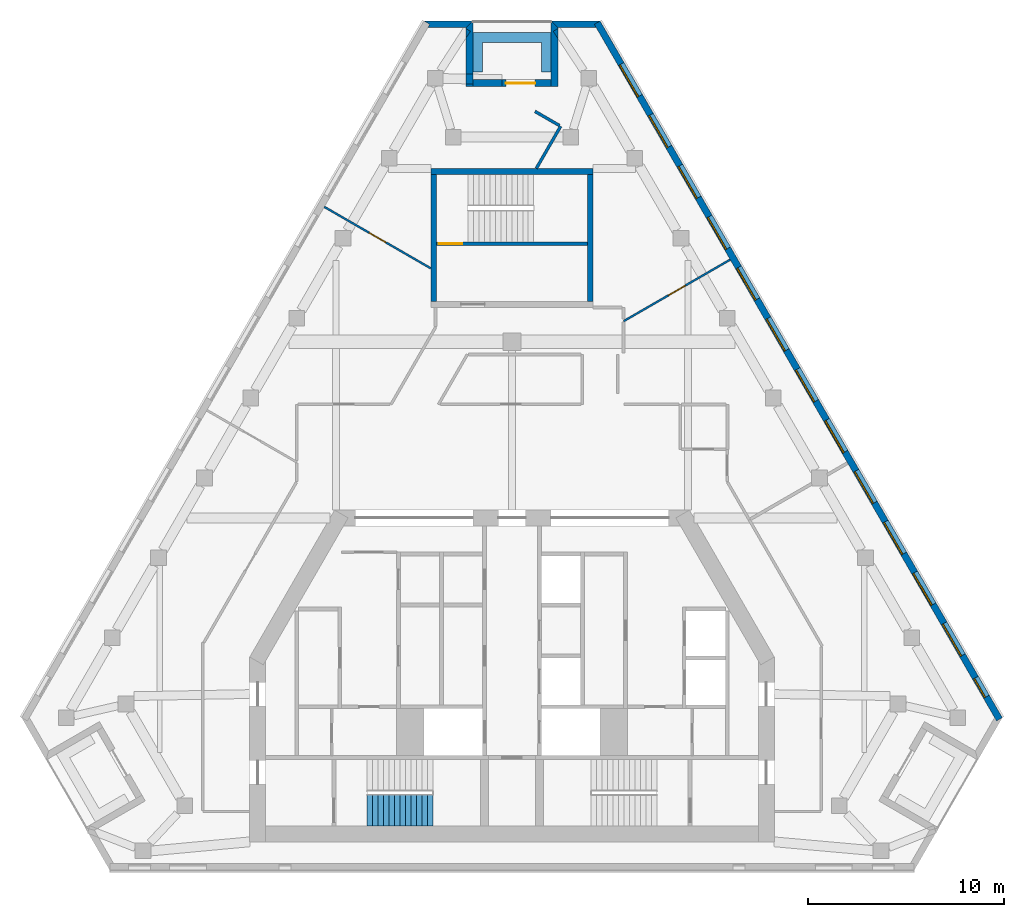
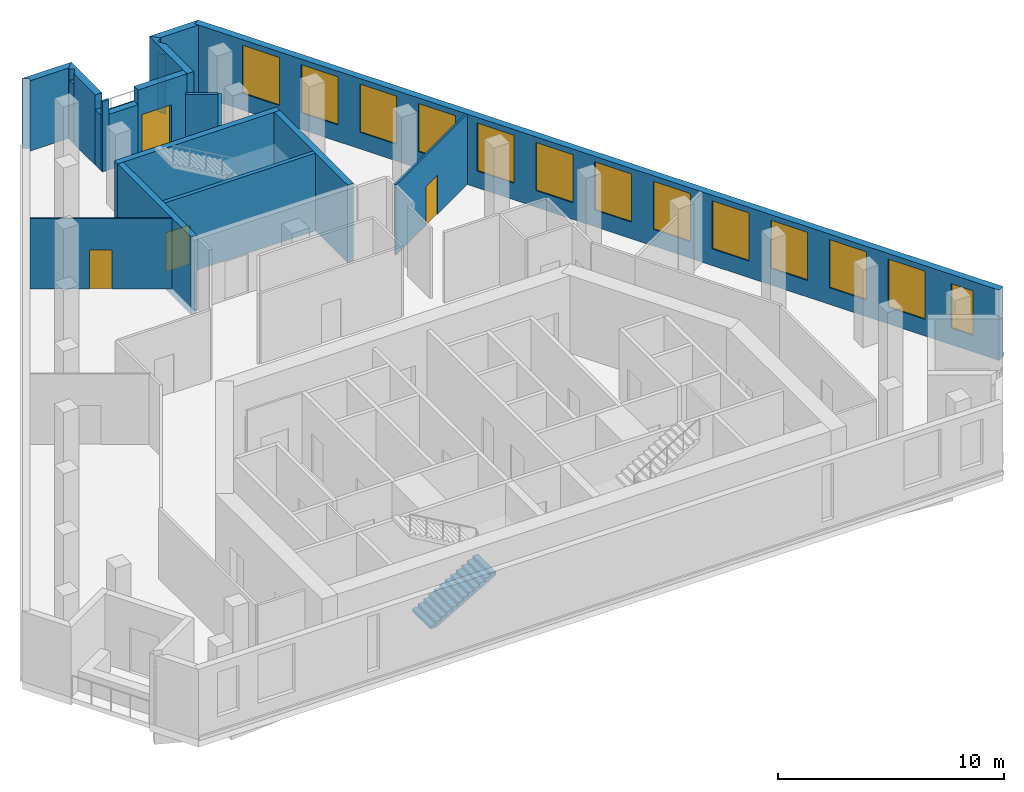
# One storey, part 6 of 8: 20 walls, 13 windows, 4 doors, 1 stair flight, 17 openings, 1 element without a shape of its own.
"""IFC4 building model written with IfcOpenShell, lengths in metres."""

from ifc_helpers import new_model, si_unit, direction, frame, frame_2d, origin, place, context, subcontext, project, spatial, polyline, rectangle, outline, extrude, material, layer, layer_set, type_object, element, fill, aggregate, save


model = new_model("IFC4")

# Units and contexts
model_context = context("Model", 3, precision=1e-05, world=origin(), true_north=direction((0.0, 1.0)))
body_context = subcontext(model_context, "Body", "Model", "MODEL_VIEW")
ifc_project = project(units=[si_unit("LENGTHUNIT", "METRE"), si_unit("AREAUNIT", "SQUARE_METRE"), si_unit("VOLUMEUNIT", "CUBIC_METRE"), si_unit("PLANEANGLEUNIT", "RADIAN"), si_unit("MASSUNIT", "GRAM", prefix="KILO")], contexts=[model_context])

# Site, building, storey
site_placement = place(None, origin())
site = spatial("IfcSite", under=ifc_project, at=site_placement, CompositionType="ELEMENT")
building_placement = place(site_placement, origin())
building = spatial("IfcBuilding", under=site, at=building_placement, Name="Fogline Exchange Tower", CompositionType="ELEMENT")
storey_placement = place(building_placement, frame((0.0, 0.0, 291.89990234375)))
storey = spatial("IfcBuildingStorey", under=building, at=storey_placement, Name="L66", CompositionType="ELEMENT", Elevation=291.89990234375)

# Wall, opening, door
ifc_material_1 = material(Name="Concrete C40", Category="concrete")
ifc_layer_1 = layer(ifc_material_1, 0.199951171875)
ifc_layer_set_1 = layer_set([ifc_layer_1], Name="CW20R")
wall_type_1 = type_object("IfcWallType", Name="CW20R", PredefinedType="SOLIDWALL", material=ifc_layer_set_1)
wall_1_placement = place(storey_placement, frame((-3.85009765625, 32.007080078125, -0.39990234375), z_axis=(0.0, 0.0, 1.0), x_axis=(1.0, 0.0, 0.0)))
wall_1 = element("IfcWall", 1, at=wall_1_placement, inside=storey, type_object=wall_type_1, Name="Stair enclosure wall ST3", PredefinedType="SOLIDWALL", context=body_context, shape_type="SweptSolid", body=[
    extrude(rectangle(XDim=7.7001953125, YDim=0.199951171875, at=frame_2d((3.85009765625, 0.0))), origin(), (0.0, 0.0, 1.0), 4.199951171875),
])
opening_1_placement = place(wall_1_placement, frame((0.10009765625, 0.0, 0.39990234375)))
opening_1 = element("IfcOpeningElement", 2, at=opening_1_placement, cuts=wall_1, Name="Opening T21-C024", PredefinedType="OPENING", context=body_context, shape_type="SweptSolid", body=[
    extrude(rectangle(XDim=1.199951171875, YDim=2.10009765625, at=frame_2d((0.60009765625, 1.050048828125))), frame((0.0, 0.10986328125, 0.0), z_axis=(0.0, -1.0, 0.0), x_axis=(1.0, 0.0, 0.0)), (0.0, 0.0, 1.0), 0.219970703125),
])
ifc_material_2 = material(Name="Steel and timber fire door", Category="steel")
door_type_1 = type_object("IfcDoorType", Name="D-ST1", OperationType="SINGLE_SWING_LEFT", PredefinedType="DOOR", material=ifc_material_2)
door_1_placement = place(opening_1_placement, origin())
door_1 = element("IfcDoor", 3, at=door_1_placement, inside=storey, type_object=door_type_1, Name="Stair door ST3", OperationType="SINGLE_SWING_LEFT", OverallHeight=2.10009765625, OverallWidth=1.199951171875, PredefinedType="DOOR", context=body_context, shape_type="SweptSolid", body=[
    extrude(rectangle(XDim=1.199951171875, YDim=2.10009765625, at=frame_2d((0.60009765625, 1.050048828125))), frame((0.0, 0.02490234375, 0.0), z_axis=(0.0, -1.0, 0.0), x_axis=(1.0, 0.0, 0.0)), (0.0, 0.0, 1.0), 0.050048828125),
])
fill(opening_1, door_1)

# Walls
ifc_layer_2 = layer(ifc_material_1, 0.300048828125)
ifc_layer_set_2 = layer_set([ifc_layer_2], Name="CW30")
wall_type_2 = type_object("IfcWallType", Name="CW30", PredefinedType="SOLIDWALL", material=ifc_layer_set_2)
wall_2_placement = place(storey_placement, frame((-4.14990234375, 35.70703125, -0.39990234375), z_axis=(0.0, 0.0, 1.0), x_axis=(1.0, 0.0, 0.0)))
element("IfcWall", 4, at=wall_2_placement, inside=storey, type_object=wall_type_2, Name="Stair enclosure wall ST3", PredefinedType="SOLIDWALL", context=body_context, shape_type="SweptSolid", body=[
    extrude(rectangle(XDim=8.2998046875, YDim=0.300048828125, at=frame_2d((4.14990234375, 0.0))), origin(), (0.0, 0.0, 1.0), 4.199951171875),
])
for number, where, z_axis, x_axis, name in (
    (5, (-4.0, 29.056884765625, -0.39990234375), (0.0, 0.0, 1.0), (0.0, 1.0, 0.0), "Stair enclosure wall ST3"),
    (6, (4.0, 29.056884765625, -0.39990234375), (0.0, 0.0, 1.0), (0.0, 1.0, 0.0), "Stair enclosure wall ST3"),
):
    element("IfcWall", number, at=place(storey_placement, frame(where, z_axis=z_axis, x_axis=x_axis)), inside=storey, type_object=wall_type_2, Name=name, PredefinedType="SOLIDWALL", context=body_context, shape_type="SweptSolid", body=[
        extrude(rectangle(XDim=6.5, YDim=0.300048828125, at=frame_2d((3.25, 0.0))), origin(), (0.0, 0.0, 1.0), 4.199951171875),
    ])

# Wall, openings, windows
ifc_material_3 = material(Name="Brick masonry", Category="masonry")
ifc_layer_3 = layer(ifc_material_3, 0.340087890625)
ifc_layer_set_3 = layer_set([ifc_layer_3], Name="FW1")
wall_type_3 = type_object("IfcWallType", Name="FW1", PredefinedType="SOLIDWALL", material=ifc_layer_set_3)
wall_3_placement = place(storey_placement, frame((24.905029296875, 7.709228515625, 0.0), z_axis=(0.0, 0.0, 1.0), x_axis=(-0.50000128873, 0.866024659735, 0.0)))
wall_3 = element("IfcWall", 7, at=wall_3_placement, inside=storey, type_object=wall_type_3, Name="Brick wall L66 E", PredefinedType="SOLIDWALL", context=body_context, shape_type="SweptSolid", body=[
    extrude(rectangle(XDim=41.1044921875, YDim=0.340087890625, at=frame_2d((20.55224609375, 0.0))), origin(), (0.0, 0.0, 1.0), 3.800048828125),
])
opening_2_placement = place(wall_3_placement, frame((3.776123046875, 0.0, 0.89990234375)))
opening_2 = element("IfcOpeningElement", 8, at=opening_2_placement, cuts=wall_3, Name="Opening W3", PredefinedType="OPENING", context=body_context, shape_type="SweptSolid", body=[
    extrude(rectangle(XDim=1.885009765625, YDim=2.60009765625, at=frame_2d((0.9423828125, 1.300048828125))), frame((0.0, 0.18017578125, 0.0), z_axis=(0.0, -1.0, 0.0), x_axis=(1.0, 0.0, 0.0)), (0.0, 0.0, 1.0), 0.360107421875),
])
opening_3_placement = place(wall_3_placement, frame((6.776123046875, 0.0, 0.89990234375)))
opening_3 = element("IfcOpeningElement", 9, at=opening_3_placement, cuts=wall_3, Name="Opening W3", PredefinedType="OPENING", context=body_context, shape_type="SweptSolid", body=[
    extrude(rectangle(XDim=1.885009765625, YDim=2.60009765625, at=frame_2d((0.9423828125, 1.300048828125))), frame((0.0, 0.18017578125, 0.0), z_axis=(0.0, -1.0, 0.0), x_axis=(1.0, 0.0, 0.0)), (0.0, 0.0, 1.0), 0.360107421875),
])
opening_4_placement = place(wall_3_placement, frame((9.776123046875, 0.0, 0.89990234375)))
opening_4 = element("IfcOpeningElement", 10, at=opening_4_placement, cuts=wall_3, Name="Opening W3", PredefinedType="OPENING", context=body_context, shape_type="SweptSolid", body=[
    extrude(rectangle(XDim=1.885009765625, YDim=2.60009765625, at=frame_2d((0.9423828125, 1.300048828125))), frame((0.0, 0.18017578125, 0.0), z_axis=(0.0, -1.0, 0.0), x_axis=(1.0, 0.0, 0.0)), (0.0, 0.0, 1.0), 0.360107421875),
])
opening_5_placement = place(wall_3_placement, frame((12.776123046875, 0.0, 0.89990234375)))
opening_5 = element("IfcOpeningElement", 11, at=opening_5_placement, cuts=wall_3, Name="Opening W3", PredefinedType="OPENING", context=body_context, shape_type="SweptSolid", body=[
    extrude(rectangle(XDim=1.885009765625, YDim=2.60009765625, at=frame_2d((0.9423828125, 1.300048828125))), frame((0.0, 0.18017578125, 0.0), z_axis=(0.0, -1.0, 0.0), x_axis=(1.0, 0.0, 0.0)), (0.0, 0.0, 1.0), 0.360107421875),
])
opening_6_placement = place(wall_3_placement, frame((15.776123046875, 0.0, 0.89990234375)))
opening_6 = element("IfcOpeningElement", 12, at=opening_6_placement, cuts=wall_3, Name="Opening W3", PredefinedType="OPENING", context=body_context, shape_type="SweptSolid", body=[
    extrude(rectangle(XDim=1.885009765625, YDim=2.60009765625, at=frame_2d((0.9423828125, 1.300048828125))), frame((0.0, 0.18017578125, 0.0), z_axis=(0.0, -1.0, 0.0), x_axis=(1.0, 0.0, 0.0)), (0.0, 0.0, 1.0), 0.360107421875),
])
opening_7_placement = place(wall_3_placement, frame((18.776123046875, 0.0, 0.89990234375)))
opening_7 = element("IfcOpeningElement", 13, at=opening_7_placement, cuts=wall_3, Name="Opening W3", PredefinedType="OPENING", context=body_context, shape_type="SweptSolid", body=[
    extrude(rectangle(XDim=1.885009765625, YDim=2.60009765625, at=frame_2d((0.9423828125, 1.300048828125))), frame((0.0, 0.18017578125, 0.0), z_axis=(0.0, -1.0, 0.0), x_axis=(1.0, 0.0, 0.0)), (0.0, 0.0, 1.0), 0.360107421875),
])
opening_8_placement = place(wall_3_placement, frame((21.776123046875, 0.0, 0.89990234375)))
opening_8 = element("IfcOpeningElement", 14, at=opening_8_placement, cuts=wall_3, Name="Opening W3", PredefinedType="OPENING", context=body_context, shape_type="SweptSolid", body=[
    extrude(rectangle(XDim=1.885009765625, YDim=2.60009765625, at=frame_2d((0.9423828125, 1.300048828125))), frame((0.0, 0.18017578125, 0.0), z_axis=(0.0, -1.0, 0.0), x_axis=(1.0, 0.0, 0.0)), (0.0, 0.0, 1.0), 0.360107421875),
])
opening_9_placement = place(wall_3_placement, frame((24.776123046875, 0.0, 0.89990234375)))
opening_9 = element("IfcOpeningElement", 15, at=opening_9_placement, cuts=wall_3, Name="Opening W3", PredefinedType="OPENING", context=body_context, shape_type="SweptSolid", body=[
    extrude(rectangle(XDim=1.885009765625, YDim=2.60009765625, at=frame_2d((0.9423828125, 1.300048828125))), frame((0.0, 0.18017578125, 0.0), z_axis=(0.0, -1.0, 0.0), x_axis=(1.0, 0.0, 0.0)), (0.0, 0.0, 1.0), 0.360107421875),
])
opening_10_placement = place(wall_3_placement, frame((27.776123046875, 0.0, 0.89990234375)))
opening_10 = element("IfcOpeningElement", 16, at=opening_10_placement, cuts=wall_3, Name="Opening W3", PredefinedType="OPENING", context=body_context, shape_type="SweptSolid", body=[
    extrude(rectangle(XDim=1.885009765625, YDim=2.60009765625, at=frame_2d((0.9423828125, 1.300048828125))), frame((0.0, 0.18017578125, 0.0), z_axis=(0.0, -1.0, 0.0), x_axis=(1.0, 0.0, 0.0)), (0.0, 0.0, 1.0), 0.360107421875),
])
opening_11_placement = place(wall_3_placement, frame((30.776123046875, 0.0, 0.89990234375)))
opening_11 = element("IfcOpeningElement", 17, at=opening_11_placement, cuts=wall_3, Name="Opening W3", PredefinedType="OPENING", context=body_context, shape_type="SweptSolid", body=[
    extrude(rectangle(XDim=1.885009765625, YDim=2.60009765625, at=frame_2d((0.9423828125, 1.300048828125))), frame((0.0, 0.18017578125, 0.0), z_axis=(0.0, -1.0, 0.0), x_axis=(1.0, 0.0, 0.0)), (0.0, 0.0, 1.0), 0.360107421875),
])
opening_12_placement = place(wall_3_placement, frame((33.776123046875, 0.0, 0.89990234375)))
opening_12 = element("IfcOpeningElement", 18, at=opening_12_placement, cuts=wall_3, Name="Opening W3", PredefinedType="OPENING", context=body_context, shape_type="SweptSolid", body=[
    extrude(rectangle(XDim=1.885009765625, YDim=2.60009765625, at=frame_2d((0.9423828125, 1.300048828125))), frame((0.0, 0.18017578125, 0.0), z_axis=(0.0, -1.0, 0.0), x_axis=(1.0, 0.0, 0.0)), (0.0, 0.0, 1.0), 0.360107421875),
])
opening_13_placement = place(wall_3_placement, frame((36.776123046875, 0.0, 0.89990234375)))
opening_13 = element("IfcOpeningElement", 19, at=opening_13_placement, cuts=wall_3, Name="Opening W3", PredefinedType="OPENING", context=body_context, shape_type="SweptSolid", body=[
    extrude(rectangle(XDim=1.885009765625, YDim=2.60009765625, at=frame_2d((0.9423828125, 1.300048828125))), frame((0.0, 0.18017578125, 0.0), z_axis=(0.0, -1.0, 0.0), x_axis=(1.0, 0.0, 0.0)), (0.0, 0.0, 1.0), 0.360107421875),
])
opening_14_placement = place(wall_3_placement, frame((1.33056640625, 0.0, 0.89990234375)))
opening_14 = element("IfcOpeningElement", 20, at=opening_14_placement, cuts=wall_3, Name="Opening W4", PredefinedType="OPENING", context=body_context, shape_type="SweptSolid", body=[
    extrude(rectangle(XDim=1.114990234375, YDim=2.39990234375, at=frame_2d((0.5576171875, 1.199951171875))), frame((0.0, 0.18017578125, 0.0), z_axis=(0.0, -1.0, 0.0), x_axis=(1.0, 0.0, 0.0)), (0.0, 0.0, 1.0), 0.360107421875),
])
ifc_material_4 = material(Name="Aluminium and glass", Category="aluminium")
window_type_1 = type_object("IfcWindowType", Name="W3", PartitioningType="SINGLE_PANEL", PredefinedType="WINDOW", material=ifc_material_4)
window_1_placement = place(opening_2_placement, origin())
window_1 = element("IfcWindow", 21, at=window_1_placement, inside=storey, type_object=window_type_1, Name="W3 W3", OverallHeight=2.60009765625, OverallWidth=1.885009765625, PartitioningType="SINGLE_PANEL", PredefinedType="WINDOW", context=body_context, shape_type="SweptSolid", body=[
    extrude(rectangle(XDim=1.885009765625, YDim=2.60009765625, at=frame_2d((0.9423828125, 1.300048828125))), frame((0.0, 0.110107421875, 0.0), z_axis=(0.0, -1.0, 0.0), x_axis=(1.0, 0.0, 0.0)), (0.0, 0.0, 1.0), 0.06005859375),
])
fill(opening_2, window_1)
window_2_placement = place(opening_3_placement, origin())
window_2 = element("IfcWindow", 22, at=window_2_placement, inside=storey, type_object=window_type_1, Name="W3 W3", OverallHeight=2.60009765625, OverallWidth=1.885009765625, PartitioningType="SINGLE_PANEL", PredefinedType="WINDOW", context=body_context, shape_type="SweptSolid", body=[
    extrude(rectangle(XDim=1.885009765625, YDim=2.60009765625, at=frame_2d((0.9423828125, 1.300048828125))), frame((0.0, 0.110107421875, 0.0), z_axis=(0.0, -1.0, 0.0), x_axis=(1.0, 0.0, 0.0)), (0.0, 0.0, 1.0), 0.06005859375),
])
fill(opening_3, window_2)
window_3_placement = place(opening_4_placement, origin())
window_3 = element("IfcWindow", 23, at=window_3_placement, inside=storey, type_object=window_type_1, Name="W3 W3", OverallHeight=2.60009765625, OverallWidth=1.885009765625, PartitioningType="SINGLE_PANEL", PredefinedType="WINDOW", context=body_context, shape_type="SweptSolid", body=[
    extrude(rectangle(XDim=1.885009765625, YDim=2.60009765625, at=frame_2d((0.9423828125, 1.300048828125))), frame((0.0, 0.110107421875, 0.0), z_axis=(0.0, -1.0, 0.0), x_axis=(1.0, 0.0, 0.0)), (0.0, 0.0, 1.0), 0.06005859375),
])
fill(opening_4, window_3)
window_4_placement = place(opening_5_placement, origin())
window_4 = element("IfcWindow", 24, at=window_4_placement, inside=storey, type_object=window_type_1, Name="W3 W3", OverallHeight=2.60009765625, OverallWidth=1.885009765625, PartitioningType="SINGLE_PANEL", PredefinedType="WINDOW", context=body_context, shape_type="SweptSolid", body=[
    extrude(rectangle(XDim=1.885009765625, YDim=2.60009765625, at=frame_2d((0.9423828125, 1.300048828125))), frame((0.0, 0.110107421875, 0.0), z_axis=(0.0, -1.0, 0.0), x_axis=(1.0, 0.0, 0.0)), (0.0, 0.0, 1.0), 0.06005859375),
])
fill(opening_5, window_4)
window_5_placement = place(opening_6_placement, origin())
window_5 = element("IfcWindow", 25, at=window_5_placement, inside=storey, type_object=window_type_1, Name="W3 W3", OverallHeight=2.60009765625, OverallWidth=1.885009765625, PartitioningType="SINGLE_PANEL", PredefinedType="WINDOW", context=body_context, shape_type="SweptSolid", body=[
    extrude(rectangle(XDim=1.885009765625, YDim=2.60009765625, at=frame_2d((0.9423828125, 1.300048828125))), frame((0.0, 0.110107421875, 0.0), z_axis=(0.0, -1.0, 0.0), x_axis=(1.0, 0.0, 0.0)), (0.0, 0.0, 1.0), 0.06005859375),
])
fill(opening_6, window_5)
window_6_placement = place(opening_7_placement, origin())
window_6 = element("IfcWindow", 26, at=window_6_placement, inside=storey, type_object=window_type_1, Name="W3 W3", OverallHeight=2.60009765625, OverallWidth=1.885009765625, PartitioningType="SINGLE_PANEL", PredefinedType="WINDOW", context=body_context, shape_type="SweptSolid", body=[
    extrude(rectangle(XDim=1.885009765625, YDim=2.60009765625, at=frame_2d((0.9423828125, 1.300048828125))), frame((0.0, 0.110107421875, 0.0), z_axis=(0.0, -1.0, 0.0), x_axis=(1.0, 0.0, 0.0)), (0.0, 0.0, 1.0), 0.06005859375),
])
fill(opening_7, window_6)
window_7_placement = place(opening_8_placement, origin())
window_7 = element("IfcWindow", 27, at=window_7_placement, inside=storey, type_object=window_type_1, Name="W3 W3", OverallHeight=2.60009765625, OverallWidth=1.885009765625, PartitioningType="SINGLE_PANEL", PredefinedType="WINDOW", context=body_context, shape_type="SweptSolid", body=[
    extrude(rectangle(XDim=1.885009765625, YDim=2.60009765625, at=frame_2d((0.9423828125, 1.300048828125))), frame((0.0, 0.110107421875, 0.0), z_axis=(0.0, -1.0, 0.0), x_axis=(1.0, 0.0, 0.0)), (0.0, 0.0, 1.0), 0.06005859375),
])
fill(opening_8, window_7)
window_8_placement = place(opening_9_placement, origin())
window_8 = element("IfcWindow", 28, at=window_8_placement, inside=storey, type_object=window_type_1, Name="W3 W3", OverallHeight=2.60009765625, OverallWidth=1.885009765625, PartitioningType="SINGLE_PANEL", PredefinedType="WINDOW", context=body_context, shape_type="SweptSolid", body=[
    extrude(rectangle(XDim=1.885009765625, YDim=2.60009765625, at=frame_2d((0.9423828125, 1.300048828125))), frame((0.0, 0.110107421875, 0.0), z_axis=(0.0, -1.0, 0.0), x_axis=(1.0, 0.0, 0.0)), (0.0, 0.0, 1.0), 0.06005859375),
])
fill(opening_9, window_8)
window_9_placement = place(opening_10_placement, origin())
window_9 = element("IfcWindow", 29, at=window_9_placement, inside=storey, type_object=window_type_1, Name="W3 W3", OverallHeight=2.60009765625, OverallWidth=1.885009765625, PartitioningType="SINGLE_PANEL", PredefinedType="WINDOW", context=body_context, shape_type="SweptSolid", body=[
    extrude(rectangle(XDim=1.885009765625, YDim=2.60009765625, at=frame_2d((0.9423828125, 1.300048828125))), frame((0.0, 0.110107421875, 0.0), z_axis=(0.0, -1.0, 0.0), x_axis=(1.0, 0.0, 0.0)), (0.0, 0.0, 1.0), 0.06005859375),
])
fill(opening_10, window_9)
window_10_placement = place(opening_11_placement, origin())
window_10 = element("IfcWindow", 30, at=window_10_placement, inside=storey, type_object=window_type_1, Name="W3 W3", OverallHeight=2.60009765625, OverallWidth=1.885009765625, PartitioningType="SINGLE_PANEL", PredefinedType="WINDOW", context=body_context, shape_type="SweptSolid", body=[
    extrude(rectangle(XDim=1.885009765625, YDim=2.60009765625, at=frame_2d((0.9423828125, 1.300048828125))), frame((0.0, 0.110107421875, 0.0), z_axis=(0.0, -1.0, 0.0), x_axis=(1.0, 0.0, 0.0)), (0.0, 0.0, 1.0), 0.06005859375),
])
fill(opening_11, window_10)
window_11_placement = place(opening_12_placement, origin())
window_11 = element("IfcWindow", 31, at=window_11_placement, inside=storey, type_object=window_type_1, Name="W3 W3", OverallHeight=2.60009765625, OverallWidth=1.885009765625, PartitioningType="SINGLE_PANEL", PredefinedType="WINDOW", context=body_context, shape_type="SweptSolid", body=[
    extrude(rectangle(XDim=1.885009765625, YDim=2.60009765625, at=frame_2d((0.9423828125, 1.300048828125))), frame((0.0, 0.110107421875, 0.0), z_axis=(0.0, -1.0, 0.0), x_axis=(1.0, 0.0, 0.0)), (0.0, 0.0, 1.0), 0.06005859375),
])
fill(opening_12, window_11)
window_12_placement = place(opening_13_placement, origin())
window_12 = element("IfcWindow", 32, at=window_12_placement, inside=storey, type_object=window_type_1, Name="W3 W3", OverallHeight=2.60009765625, OverallWidth=1.885009765625, PartitioningType="SINGLE_PANEL", PredefinedType="WINDOW", context=body_context, shape_type="SweptSolid", body=[
    extrude(rectangle(XDim=1.885009765625, YDim=2.60009765625, at=frame_2d((0.9423828125, 1.300048828125))), frame((0.0, 0.110107421875, 0.0), z_axis=(0.0, -1.0, 0.0), x_axis=(1.0, 0.0, 0.0)), (0.0, 0.0, 1.0), 0.06005859375),
])
fill(opening_13, window_12)
window_type_2 = type_object("IfcWindowType", Name="W4", PartitioningType="SINGLE_PANEL", PredefinedType="WINDOW", material=ifc_material_4)
window_13_placement = place(opening_14_placement, origin())
window_13 = element("IfcWindow", 33, at=window_13_placement, inside=storey, type_object=window_type_2, Name="W4 W4", OverallHeight=2.39990234375, OverallWidth=1.114990234375, PartitioningType="SINGLE_PANEL", PredefinedType="WINDOW", context=body_context, shape_type="SweptSolid", body=[
    extrude(rectangle(XDim=1.114990234375, YDim=2.39990234375, at=frame_2d((0.5576171875, 1.199951171875))), frame((0.0, 0.110107421875, 0.0), z_axis=(0.0, -1.0, 0.0), x_axis=(1.0, 0.0, 0.0)), (0.0, 0.0, 1.0), 0.06005859375),
])
fill(opening_14, window_13)

# Walls
wall_4_placement = place(storey_placement, origin())
element("IfcWall", 34, at=wall_4_placement, inside=storey, type_object=wall_type_3, Name="Brick wall L66 N-c1", PredefinedType="SOLIDWALL", context=body_context, shape_type="SweptSolid", body=[
    extrude(outline(polyline([(1.9990234375, 43.392333984375), (4.5009765625, 43.392333984375), (4.501220703125, 43.3916015625), (4.206298828125, 43.221435546875), (4.3046875, 43.051025390625), (2.33984375, 43.051025390625), (1.998779296875, 43.39208984375), (1.9990234375, 43.392333984375)])), origin(), (0.0, 0.0, 1.0), 3.800048828125),
])
wall_5_placement = place(storey_placement, origin())
element("IfcWall", 35, at=wall_5_placement, inside=storey, type_object=wall_type_3, Name="Brick wall L66 N-s1", PredefinedType="SOLIDWALL", context=body_context, shape_type="SweptSolid", body=[
    extrude(outline(polyline([(2.340576171875, 42.503173828125), (2.107177734375, 42.859130859375), (2.340576171875, 43.012451171875), (2.340576171875, 42.503173828125)])), origin(), (0.0, 0.0, 1.0), 3.2001953125),
])
wall_6_placement = place(storey_placement, origin())
element("IfcWall", 36, at=wall_6_placement, inside=storey, type_object=wall_type_3, Name="Brick wall L66 N-s1", PredefinedType="SOLIDWALL", context=body_context, shape_type="SweptSolid", body=[
    extrude(outline(polyline([(1.99951171875, 40.051025390625), (1.99951171875, 43.392578125), (1.999755859375, 43.392822265625), (2.340576171875, 43.052001953125), (2.340576171875, 43.012451171875), (2.107177734375, 42.859130859375), (2.340576171875, 42.503173828125), (2.340576171875, 40.051025390625), (1.99951171875, 40.051025390625)])), origin(), (0.0, 0.0, 1.0), 3.800048828125),
])

# Wall, opening, door
wall_7_placement = place(storey_placement, frame((2.0, 40.2216796875, 0.0), z_axis=(0.0, 0.0, 1.0), x_axis=(-1.0, 0.0, 0.0)))
wall_7 = element("IfcWall", 37, at=wall_7_placement, inside=storey, type_object=wall_type_3, Name="Brick wall L66 N-bk", PredefinedType="SOLIDWALL", context=body_context, shape_type="SweptSolid", body=[
    extrude(rectangle(XDim=2.51416015625, YDim=0.340087890625, at=frame_2d((1.257080078125, 0.0))), origin(), (0.0, 0.0, 1.0), 3.800048828125),
])
opening_15_placement = place(wall_7_placement, frame((0.81396484375, 0.0, 0.0)))
opening_15 = element("IfcOpeningElement", 38, at=opening_15_placement, cuts=wall_7, Name="Opening T21-E141", PredefinedType="OPENING", context=body_context, shape_type="SweptSolid", body=[
    extrude(rectangle(XDim=1.5, YDim=2.39990234375, at=frame_2d((0.75, 1.199951171875))), frame((0.0, 0.18017578125, 0.0), z_axis=(0.0, -1.0, 0.0), x_axis=(1.0, 0.0, 0.0)), (0.0, 0.0, 1.0), 0.360107421875),
])
door_type_2 = type_object("IfcDoorType", Name="ED4", OperationType="SINGLE_SWING_LEFT", PredefinedType="DOOR", material=ifc_material_4)
door_2_placement = place(opening_15_placement, frame((1.5, 0.0, 0.0), z_axis=(0.0, 0.0, 1.0), x_axis=(-1.0, 0.0, 0.0)))
door_2 = element("IfcDoor", 39, at=door_2_placement, inside=storey, type_object=door_type_2, Name="Balcony door L66 N", OperationType="DOUBLE_DOOR_SINGLE_SWING", OverallHeight=2.39990234375, OverallWidth=1.5, PredefinedType="DOOR", context=body_context, shape_type="SweptSolid", body=[
    extrude(rectangle(XDim=1.5, YDim=2.39990234375, at=frame_2d((0.75, 1.199951171875))), frame((0.0, 0.02490234375, 0.0), z_axis=(0.0, -1.0, 0.0), x_axis=(1.0, 0.0, 0.0)), (0.0, 0.0, 1.0), 0.050048828125),
])
fill(opening_15, door_2)

# Walls
wall_8_placement = place(storey_placement, frame((-0.51416015625, 40.2216796875, 0.0), z_axis=(0.0, 0.0, 1.0), x_axis=(-1.0, 0.0, 0.0)))
element("IfcWall", 40, at=wall_8_placement, inside=storey, type_object=wall_type_3, Name="Brick wall L66 N-bk", PredefinedType="SOLIDWALL", context=body_context, shape_type="SweptSolid", body=[
    extrude(rectangle(XDim=1.48583984375, YDim=0.340087890625, at=frame_2d((0.742919921875, 0.0))), origin(), (0.0, 0.0, 1.0), 3.0),
])
wall_9_placement = place(storey_placement, origin())
element("IfcWall", 41, at=wall_9_placement, inside=storey, type_object=wall_type_3, Name="Brick wall L66 N-s2", PredefinedType="SOLIDWALL", context=body_context, shape_type="SweptSolid", body=[
    extrude(outline(polyline([(-1.99951171875, 40.174560546875), (-2.340576171875, 40.180419921875), (-2.340576171875, 40.680419921875), (-1.99951171875, 40.6748046875), (-1.99951171875, 40.174560546875)])), origin(), (0.0, 0.0, 1.0), 3.0),
])
wall_10_placement = place(storey_placement, origin())
element("IfcWall", 42, at=wall_10_placement, inside=storey, type_object=wall_type_3, Name="Brick wall L66 N-s2", PredefinedType="SOLIDWALL", context=body_context, shape_type="SweptSolid", body=[
    extrude(outline(polyline([(-2.340576171875, 43.00146484375), (-2.126953125, 42.86328125), (-2.340576171875, 42.533203125), (-2.340576171875, 43.00146484375)])), origin(), (0.0, 0.0, 1.0), 3.2001953125),
])
wall_11_placement = place(storey_placement, origin())
element("IfcWall", 43, at=wall_11_placement, inside=storey, type_object=wall_type_3, Name="Brick wall L66 N-s2", PredefinedType="SOLIDWALL", context=body_context, shape_type="SweptSolid", body=[
    extrude(outline(polyline([(-2.340576171875, 40.680419921875), (-2.340576171875, 42.533203125), (-2.126953125, 42.86328125), (-2.340576171875, 43.00146484375), (-2.340576171875, 43.052001953125), (-1.999755859375, 43.392822265625), (-1.99951171875, 43.392578125), (-1.99951171875, 40.6748046875), (-2.340576171875, 40.680419921875)])), origin(), (0.0, 0.0, 1.0), 3.800048828125),
])
wall_12_placement = place(storey_placement, origin())
element("IfcWall", 44, at=wall_12_placement, inside=storey, type_object=wall_type_3, Name="Brick wall L66 N-s2", PredefinedType="SOLIDWALL", context=body_context, shape_type="SweptSolid", body=[
    extrude(outline(polyline([(-2.340576171875, 40.051025390625), (-2.340576171875, 40.180419921875), (-1.99951171875, 40.174560546875), (-1.99951171875, 40.051025390625), (-2.340576171875, 40.051025390625)])), origin(), (0.0, 0.0, 1.0), 3.800048828125),
])
wall_13_placement = place(storey_placement, origin())
element("IfcWall", 45, at=wall_13_placement, inside=storey, type_object=wall_type_3, Name="Brick wall L66 N-c2", PredefinedType="SOLIDWALL", context=body_context, shape_type="SweptSolid", body=[
    extrude(outline(polyline([(-4.3046875, 43.051025390625), (-4.206298828125, 43.221435546875), (-4.501220703125, 43.3916015625), (-4.5009765625, 43.392333984375), (-1.9990234375, 43.392333984375), (-1.998779296875, 43.39208984375), (-2.33984375, 43.051025390625), (-4.3046875, 43.051025390625)])), origin(), (0.0, 0.0, 1.0), 3.800048828125),
])
ifc_material_5 = material(Name="Concrete C30", Category="concrete")
ifc_layer_4 = layer(ifc_material_5, 0.199951171875)
ifc_layer_set_4 = layer_set([ifc_layer_4], Name="PL1")
wall_type_4 = type_object("IfcWallType", Name="PL1", PredefinedType="USERDEFINED", material=ifc_layer_set_4)
wall_14_placement = place(storey_placement, origin())
element("IfcWall", 46, at=wall_14_placement, inside=storey, type_object=wall_type_4, Name="PLANTER balcony L66 N", ObjectType="PLANTER", PredefinedType="USERDEFINED", context=body_context, shape_type="SweptSolid", body=[
    extrude(outline(polyline([(-1.5, 42.791748046875), (-2.0, 42.791748046875), (-2.0, 42.291748046875), (-2.0, 40.791748046875), (-1.5, 40.791748046875), (-1.5, 42.291748046875), (1.5, 42.291748046875), (1.5, 40.791748046875), (2.0, 40.791748046875), (2.0, 42.291748046875), (2.0, 42.791748046875), (1.5, 42.791748046875), (-1.5, 42.791748046875)])), origin(), (0.0, 0.0, 1.0), 1.10009765625),
])

# Wall, opening, door
ifc_material_6 = material(Name="Plasterboard partition, 2 layers each side on steel studs", Category="steel")
ifc_layer_5 = layer(ifc_material_6, 0.10009765625)
ifc_layer_set_5 = layer_set([ifc_layer_5], Name="PW1")
wall_type_5 = type_object("IfcWallType", Name="PW1", PredefinedType="PARTITIONING", material=ifc_layer_set_5)
wall_15_placement = place(storey_placement, frame((5.699951171875, 28.050537109375, 0.0), z_axis=(0.0, 0.0, 1.0), x_axis=(0.866020798945, 0.500007975732, 0.0)))
wall_15 = element("IfcWall", 47, at=wall_15_placement, inside=storey, type_object=wall_type_5, Name="wall-L66-W027", PredefinedType="PARTITIONING", context=body_context, shape_type="SweptSolid", body=[
    extrude(rectangle(XDim=6.29150390625, YDim=0.10009765625, at=frame_2d((3.145751953125, 0.0))), origin(), (0.0, 0.0, 1.0), 3.800048828125),
])
opening_16_placement = place(wall_15_placement, frame((2.6455078125, 0.0, 0.0)))
opening_16 = element("IfcOpeningElement", 48, at=opening_16_placement, cuts=wall_15, Name="Opening T21-D007", PredefinedType="OPENING", context=body_context, shape_type="SweptSolid", body=[
    extrude(rectangle(XDim=1.0, YDim=2.10009765625, at=frame_2d((0.5, 1.050048828125))), frame((0.0, 0.06005859375, 0.0), z_axis=(0.0, -1.0, 0.0), x_axis=(1.0, 0.0, 0.0)), (0.0, 0.0, 1.0), 0.1201171875),
])
ifc_material_7 = material(Name="Timber door leaf with steel frame", Category="steel")
door_type_3 = type_object("IfcDoorType", Name="D1", OperationType="SINGLE_SWING_LEFT", PredefinedType="DOOR", material=ifc_material_7)
door_3_placement = place(opening_16_placement, origin())
door_3 = element("IfcDoor", 49, at=door_3_placement, inside=storey, type_object=door_type_3, Name="door-L66-D007", OperationType="SINGLE_SWING_LEFT", OverallHeight=2.10009765625, OverallWidth=1.0, PredefinedType="DOOR", context=body_context, shape_type="SweptSolid", body=[
    extrude(rectangle(XDim=1.0, YDim=2.10009765625, at=frame_2d((0.5, 1.050048828125))), frame((0.0, 0.02490234375, 0.0), z_axis=(0.0, -1.0, 0.0), x_axis=(1.0, 0.0, 0.0)), (0.0, 0.0, 1.0), 0.050048828125),
])
fill(opening_16, door_3)

wall_16_placement = place(storey_placement, frame((-4.14990234375, 30.752685546875, 0.0), z_axis=(0.0, 0.0, 1.0), x_axis=(-0.866039337855, 0.499975864706, 0.0)))
wall_16 = element("IfcWall", 50, at=wall_16_placement, inside=storey, type_object=wall_type_5, Name="wall-L66-W032", PredefinedType="PARTITIONING", context=body_context, shape_type="SweptSolid", body=[
    extrude(rectangle(XDim=6.282470703125, YDim=0.10009765625, at=frame_2d((3.14111328125, 0.0))), origin(), (0.0, 0.0, 1.0), 3.800048828125),
])
opening_17_placement = place(wall_16_placement, frame((2.641357421875, 0.0, 0.0)))
opening_17 = element("IfcOpeningElement", 51, at=opening_17_placement, cuts=wall_16, Name="Opening T21-D008", PredefinedType="OPENING", context=body_context, shape_type="SweptSolid", body=[
    extrude(rectangle(XDim=1.0, YDim=2.10009765625, at=frame_2d((0.5, 1.050048828125))), frame((0.0, 0.06005859375, 0.0), z_axis=(0.0, -1.0, 0.0), x_axis=(1.0, 0.0, 0.0)), (0.0, 0.0, 1.0), 0.1201171875),
])
door_4_placement = place(opening_17_placement, frame((1.0, 0.0, 0.0), z_axis=(0.0, 0.0, 1.0), x_axis=(-1.0, 0.0, 0.0)))
door_4 = element("IfcDoor", 52, at=door_4_placement, inside=storey, type_object=door_type_3, Name="door-L66-D008", OperationType="SINGLE_SWING_RIGHT", OverallHeight=2.10009765625, OverallWidth=1.0, PredefinedType="DOOR", context=body_context, shape_type="SweptSolid", body=[
    extrude(rectangle(XDim=1.0, YDim=2.10009765625, at=frame_2d((0.5, 1.050048828125))), frame((0.0, 0.02490234375, 0.0), z_axis=(0.0, -1.0, 0.0), x_axis=(1.0, 0.0, 0.0)), (0.0, 0.0, 1.0), 0.050048828125),
])
fill(opening_17, door_4)

# Walls
ifc_material_8 = material(Name="Plasterboard demising partition with mineral wool and acoustic board")
ifc_layer_6 = layer(ifc_material_8, 0.14990234375)
ifc_layer_set_6 = layer_set([ifc_layer_6], Name="PW3")
wall_type_6 = type_object("IfcWallType", Name="PW3", PredefinedType="PARTITIONING", material=ifc_layer_set_6)
wall_17_placement = place(storey_placement, frame((1.241943359375, 35.85693359375, 0.0), z_axis=(0.0, 0.0, 1.0), x_axis=(0.50001949124, 0.86601415022, 0.0)))
element("IfcWall", 53, at=wall_17_placement, inside=storey, type_object=wall_type_6, Name="wall-L66-W030", PredefinedType="PARTITIONING", context=body_context, shape_type="SweptSolid", body=[
    extrude(rectangle(XDim=2.490234375, YDim=0.14990234375, at=frame_2d((1.2451171875, 0.0))), origin(), (0.0, 0.0, 1.0), 3.800048828125),
])
wall_18_placement = place(storey_placement, frame((2.422119140625, 38.051025390625, 0.0), z_axis=(0.0, 0.0, 1.0), x_axis=(-0.866033125095, 0.499986626058, 0.0)))
element("IfcWall", 54, at=wall_18_placement, inside=storey, type_object=wall_type_6, Name="wall-L66-W031", PredefinedType="PARTITIONING", context=body_context, shape_type="SweptSolid", body=[
    extrude(rectangle(XDim=1.43994140625, YDim=0.14990234375, at=frame_2d((0.719970703125, 0.0))), origin(), (0.0, 0.0, 1.0), 3.800048828125),
])

# Stair, stair flight
stair_type = type_object("IfcStairType", Name="STR26-1615", PredefinedType="HALF_TURN_STAIR", material=ifc_material_1)
stair_placement = place(storey_placement, origin())
stair = element("IfcStair", 55, at=stair_placement, inside=storey, type_object=stair_type, Name="Stair ST1", PredefinedType="HALF_TURN_STAIR")
stair_flight_type = type_object("IfcStairFlightType", Name="SF13-1615", PredefinedType="STRAIGHT", material=ifc_material_1)
stair_flight_placement = place(storey_placement, frame((-7.39990234375, 3.050048828125, 0.0), z_axis=(0.0, 0.0, 1.0), x_axis=(1.0, 0.0, 0.0)))
stair_flight = element("IfcStairFlight", 56, at=stair_flight_placement, type_object=stair_flight_type, Name="ST1 flight 1", NumberOfRisers=13, NumberOfTreads=12, PredefinedType="STRAIGHT", RiserHeight=0.161538462, TreadLength=0.28, context=body_context, shape_type="SweptSolid", body=[
    extrude(outline(polyline([(0.0, 0.0), (0.0, 0.16162109375), (0.280029296875, 0.16162109375), (0.280029296875, 0.322998046875), (0.56005859375, 0.322998046875), (0.56005859375, 0.484619140625), (0.840087890625, 0.484619140625), (0.840087890625, 0.646240234375), (1.1201171875, 0.646240234375), (1.1201171875, 0.8076171875), (1.39990234375, 0.8076171875), (1.39990234375, 0.96923828125), (1.679931640625, 0.96923828125), (1.679931640625, 1.130859375), (1.9599609375, 1.130859375), (1.9599609375, 1.292236328125), (2.239990234375, 1.292236328125), (2.239990234375, 1.453857421875), (2.52001953125, 1.453857421875), (2.52001953125, 1.615478515625), (2.800048828125, 1.615478515625), (2.800048828125, 1.77685546875), (3.080078125, 1.77685546875), (3.080078125, 1.9384765625), (3.360107421875, 1.9384765625), (3.360107421875, 2.10009765625), (3.360107421875, 1.765380859375), (0.300048828125, 0.0), (0.0, 0.0)])), frame((0.0, 0.800048828125, 0.0), z_axis=(0.0, -1.0, 0.0), x_axis=(1.0, 0.0, 0.0)), (0.0, 0.0, 1.0), 1.60009765625),
])
aggregate(stair, [stair_flight])

save(model, "model.ifc")
